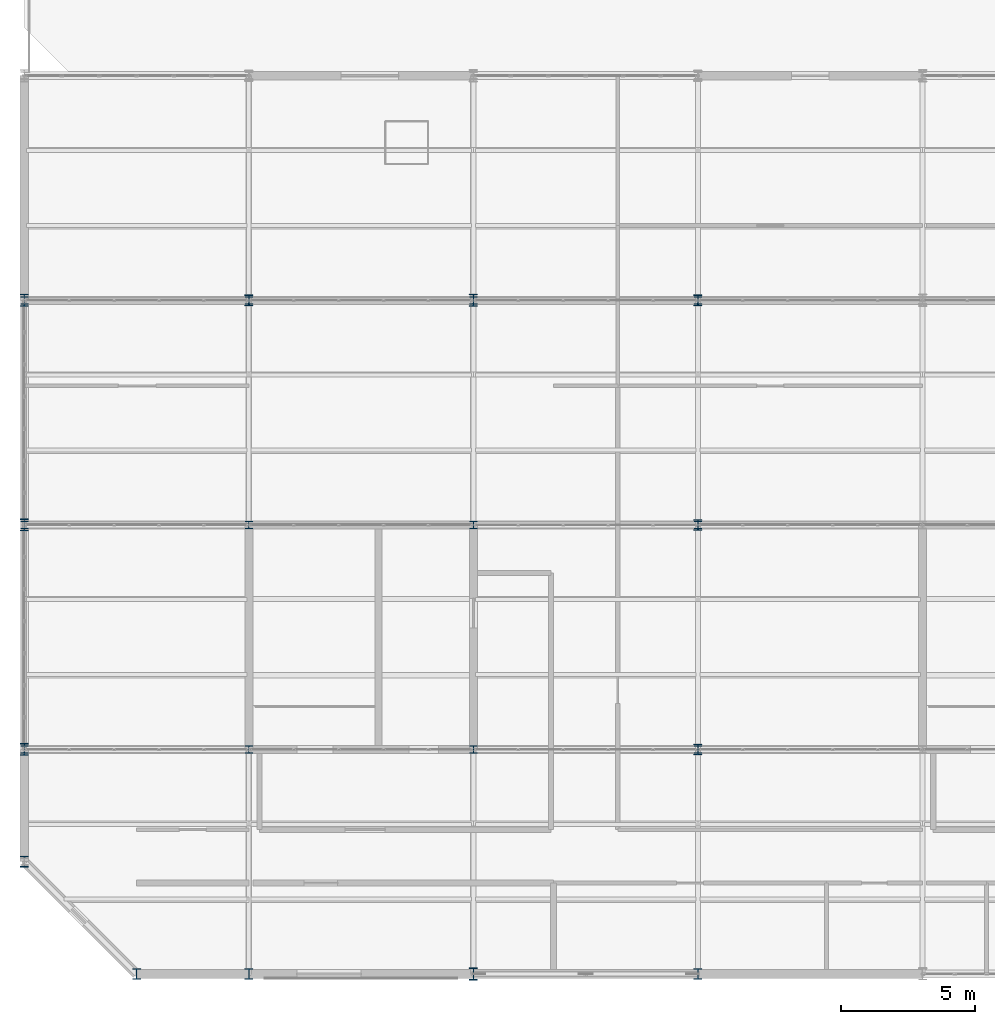
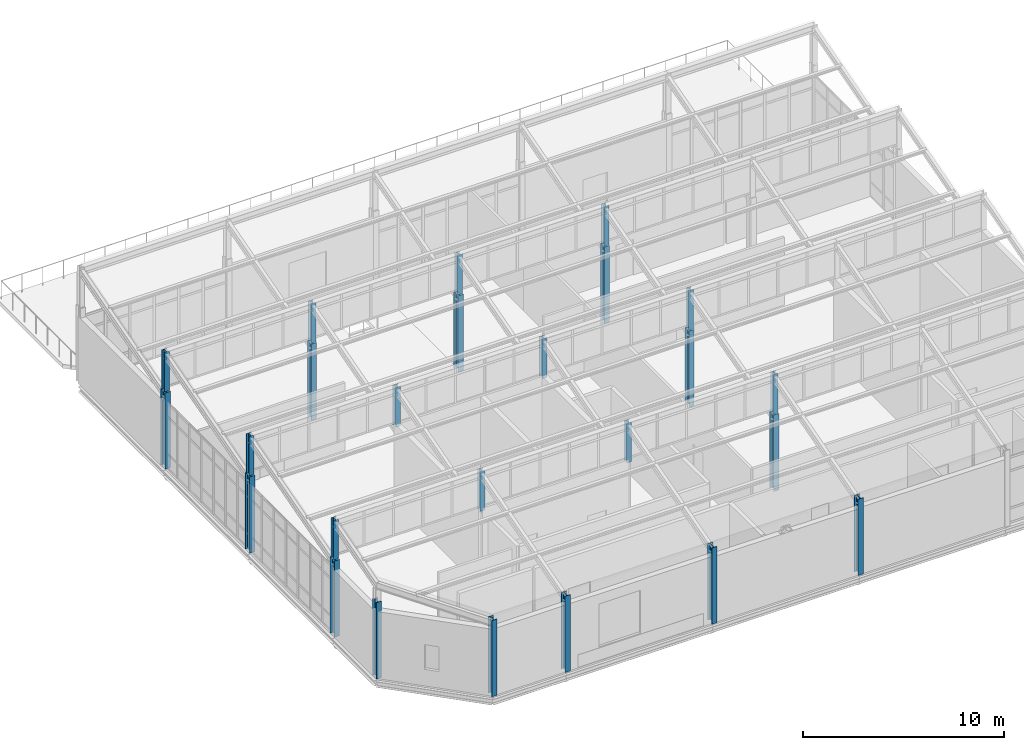
# One storey, part 1 of 53: 25 columns.
"""IFC4 building model written with IfcOpenShell, lengths in metres."""

from ifc_helpers import new_model, si_unit, direction, frame, origin, origin_2d, place, context, subcontext, project, spatial, i_section, extrude, material, material_profile, profile_set, type_object, element, save


model = new_model("IFC4")

# Units and contexts
model_context = context("Model", 3, precision=1e-05, world=origin(), true_north=direction((0.0, 1.0)))
body_context = subcontext(model_context, "Body", "Model", "MODEL_VIEW")
ifc_project = project(units=[si_unit("LENGTHUNIT", "METRE"), si_unit("AREAUNIT", "SQUARE_METRE"), si_unit("VOLUMEUNIT", "CUBIC_METRE"), si_unit("PLANEANGLEUNIT", "RADIAN"), si_unit("MASSUNIT", "GRAM", prefix="KILO")], contexts=[model_context])

# Site, building, storey
site_placement = place(None, origin())
site = spatial("IfcSite", under=ifc_project, at=site_placement, CompositionType="ELEMENT")
building_placement = place(site_placement, origin())
building = spatial("IfcBuilding", under=site, at=building_placement, Name="Qalvenar Corner Mobility Hub", CompositionType="ELEMENT")
storey_placement = place(building_placement, frame((0.0, 0.0, 26.39990234375)))
storey = spatial("IfcBuildingStorey", under=building, at=storey_placement, Name="L06", CompositionType="ELEMENT", Elevation=26.39990234375)

# Columns
ifc_material = material(Name="Steel S355", Category="steel")
ifc_material_profile_1 = material_profile(ifc_material, i_section(OverallWidth=0.280029296875, OverallDepth=0.280029296875, WebThickness=0.010498046875, FlangeThickness=0.01806640625, FilletRadius=0.02392578125, at=origin_2d()), Name="HEB280")
ifc_profile_set_1 = profile_set([ifc_material_profile_1], Name="Steel S355")
column_type_1 = type_object("IfcColumnType", Name="COL-HEB280", PredefinedType="COLUMN", material=ifc_profile_set_1)
for number, where, z_axis, x_axis, name in (
    (1, (0.0, 8.39990234375, 4.630126953125), (0.0, 0.0, 1.0), (1.0, 0.0, 0.0), "Sawtooth Roof Post V3R-1-1"),
    (2, (8.39990234375, 8.39990234375, 4.630126953125), (0.0, 0.0, 1.0), (1.0, 0.0, 0.0), "Sawtooth Roof Post V3R-1-2"),
    (3, (16.800048828125, 8.39990234375, 4.630126953125), (0.0, 0.0, 1.0), (1.0, 0.0, 0.0), "Sawtooth Roof Post V3R-1-3"),
    (4, (25.199951171875, 8.39990234375, 4.630126953125), (0.0, 0.0, 1.0), (1.0, 0.0, 0.0), "Sawtooth Roof Post V3R-1-4"),
    (5, (0.0, 16.800048828125, 4.630126953125), (0.0, 0.0, 1.0), (1.0, 0.0, 0.0), "Sawtooth Roof Post V3R-2-1"),
    (6, (8.39990234375, 16.800048828125, 4.630126953125), (0.0, 0.0, 1.0), (1.0, 0.0, 0.0), "Sawtooth Roof Post V3R-2-2"),
    (7, (16.800048828125, 16.800048828125, 4.630126953125), (0.0, 0.0, 1.0), (1.0, 0.0, 0.0), "Sawtooth Roof Post V3R-2-3"),
    (8, (25.199951171875, 16.800048828125, 4.630126953125), (0.0, 0.0, 1.0), (1.0, 0.0, 0.0), "Sawtooth Roof Post V3R-2-4"),
    (9, (0.0, 25.199951171875, 4.630126953125), (0.0, 0.0, 1.0), (1.0, 0.0, 0.0), "Sawtooth Roof Post V3R-3-1"),
    (10, (8.39990234375, 25.199951171875, 4.630126953125), (0.0, 0.0, 1.0), (1.0, 0.0, 0.0), "Sawtooth Roof Post V3R-3-2"),
    (11, (16.800048828125, 25.199951171875, 4.630126953125), (0.0, 0.0, 1.0), (1.0, 0.0, 0.0), "Sawtooth Roof Post V3R-3-3"),
    (12, (25.199951171875, 25.199951171875, 4.630126953125), (0.0, 0.0, 1.0), (1.0, 0.0, 0.0), "Sawtooth Roof Post V3R-3-4"),
):
    element("IfcColumn", number, at=place(storey_placement, frame(where, z_axis=z_axis, x_axis=x_axis)), inside=storey, type_object=column_type_1, Name=name, PredefinedType="COLUMN", context=body_context, shape_type="SweptSolid", body=[
        extrude(i_section(OverallWidth=0.280029296875, OverallDepth=0.280029296875, WebThickness=0.010498046875, FlangeThickness=0.01806640625, FilletRadius=0.02392578125, at=origin_2d()), origin(), (0.0, 0.0, 1.0), 2.39990234375),
    ])
ifc_material_profile_2 = material_profile(ifc_material, i_section(OverallWidth=0.300048828125, OverallDepth=0.39990234375, WebThickness=0.013427734375, FlangeThickness=0.02392578125, FilletRadius=0.027099609375, at=origin_2d()), Name="HEB400")
ifc_profile_set_2 = profile_set([ifc_material_profile_2], Name="Steel S355")
column_type_2 = type_object("IfcColumnType", Name="COL-HEB400", PredefinedType="COLUMN", material=ifc_profile_set_2)
for number, where, z_axis, x_axis, name in (
    (13, (8.39990234375, 0.0, 0.0), (0.0, 0.0, 1.0), (1.0, 0.0, 0.0), "Steel Column L06-G2-0"),
    (14, (8.39990234375, 25.199951171875, 0.0), (0.0, 0.0, 1.0), (1.0, 0.0, 0.0), "Steel Column L06-G2-3"),
    (15, (25.199951171875, 0.0, 0.0), (0.0, 0.0, 1.0), (1.0, 0.0, 0.0), "Steel Column L06-G4-0"),
    (16, (25.199951171875, 8.39990234375, 0.0), (0.0, 0.0, 1.0), (1.0, 0.0, 0.0), "Steel Column L06-G4-1"),
    (17, (25.199951171875, 16.800048828125, 0.0), (0.0, 0.0, 1.0), (1.0, 0.0, 0.0), "Steel Column L06-G4-2"),
    (18, (25.199951171875, 25.199951171875, 0.0), (0.0, 0.0, 1.0), (1.0, 0.0, 0.0), "Steel Column L06-G4-3"),
    (19, (4.199951171875, 0.0, 0.0), (0.0, 0.0, 1.0), (1.0, 0.0, 0.0), "Steel Column L06-SPL-S"),
    (20, (0.0, 4.199951171875, 0.0), (0.0, 0.0, 1.0), (1.0, 0.0, 0.0), "Steel Column L06-SPL-W"),
):
    element("IfcColumn", number, at=place(storey_placement, frame(where, z_axis=z_axis, x_axis=x_axis)), inside=storey, type_object=column_type_2, Name=name, PredefinedType="COLUMN", context=body_context, shape_type="SweptSolid", body=[
        extrude(i_section(OverallWidth=0.300048828125, OverallDepth=0.39990234375, WebThickness=0.013427734375, FlangeThickness=0.02392578125, FilletRadius=0.027099609375, at=origin_2d()), origin(), (0.0, 0.0, 1.0), 4.630126953125),
    ])
ifc_material_profile_3 = material_profile(ifc_material, i_section(OverallWidth=0.300048828125, OverallDepth=0.449951171875, WebThickness=0.013916015625, FlangeThickness=0.02587890625, FilletRadius=0.027099609375, at=origin_2d()), Name="HEB450")
ifc_profile_set_3 = profile_set([ifc_material_profile_3], Name="Steel S355")
column_type_3 = type_object("IfcColumnType", Name="COL-HEB450", PredefinedType="COLUMN", material=ifc_profile_set_3)
for number, where, z_axis, x_axis, name in (
    (21, (0.0, 8.39990234375, 0.0), (0.0, 0.0, 1.0), (1.0, 0.0, 0.0), "Steel Column L06-G1-1"),
    (22, (0.0, 16.800048828125, 0.0), (0.0, 0.0, 1.0), (1.0, 0.0, 0.0), "Steel Column L06-G1-2"),
    (23, (0.0, 25.199951171875, 0.0), (0.0, 0.0, 1.0), (1.0, 0.0, 0.0), "Steel Column L06-G1-3"),
    (24, (16.800048828125, 0.0, 0.0), (0.0, 0.0, 1.0), (1.0, 0.0, 0.0), "Steel Column L06-G3-0"),
    (25, (16.800048828125, 25.199951171875, 0.0), (0.0, 0.0, 1.0), (1.0, 0.0, 0.0), "Steel Column L06-G3-3"),
):
    element("IfcColumn", number, at=place(storey_placement, frame(where, z_axis=z_axis, x_axis=x_axis)), inside=storey, type_object=column_type_3, Name=name, PredefinedType="COLUMN", context=body_context, shape_type="SweptSolid", body=[
        extrude(i_section(OverallWidth=0.300048828125, OverallDepth=0.449951171875, WebThickness=0.013916015625, FlangeThickness=0.02587890625, FilletRadius=0.027099609375, at=origin_2d()), origin(), (0.0, 0.0, 1.0), 4.630126953125),
    ])

save(model, "model.ifc")
